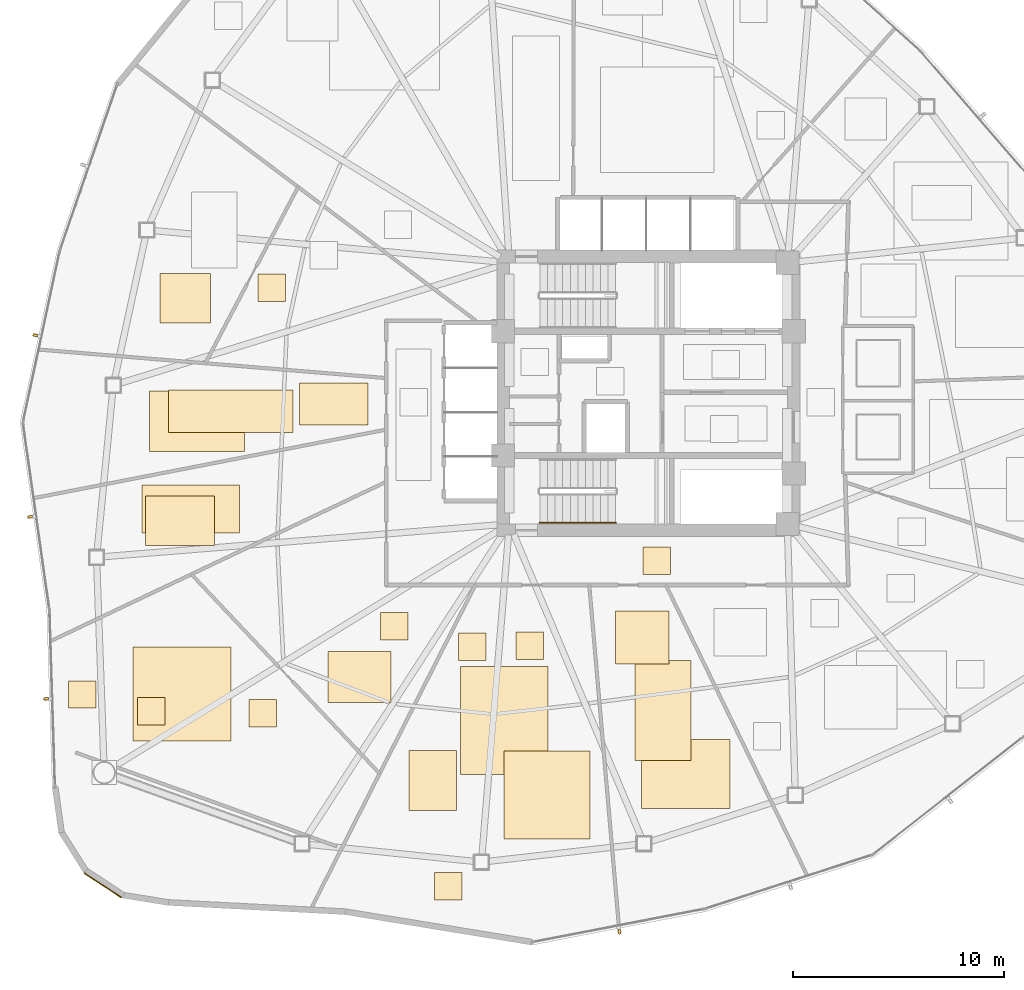
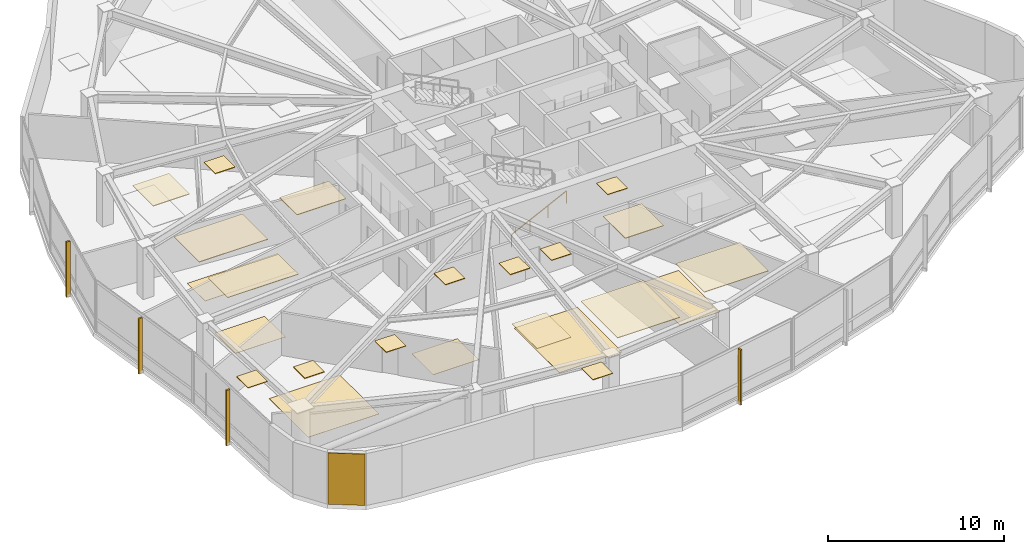
# One storey, part 14 of 17: 24 coverings, 4 shading devices, 1 railing.
"""IFC4 building model written with IfcOpenShell, lengths in metres."""

from ifc_helpers import new_model, si_unit, direction, frame, origin, origin_2d, place, context, subcontext, project, spatial, polyline, rectangle, outline, extrude, source, transform, mapped, material, layer, layer_set, type_object, type_shapes, element, save


model = new_model("IFC4")

# Units and contexts
model_context = context("Model", 3, precision=1e-05, world=origin(), true_north=direction((0.0, 1.0)))
body_context = subcontext(model_context, "Body", "Model", "MODEL_VIEW")
ifc_project = project(units=[si_unit("LENGTHUNIT", "METRE"), si_unit("AREAUNIT", "SQUARE_METRE"), si_unit("VOLUMEUNIT", "CUBIC_METRE"), si_unit("PLANEANGLEUNIT", "RADIAN"), si_unit("MASSUNIT", "GRAM", prefix="KILO")], contexts=[model_context])

# Site, building, storey
site_placement = place(None, origin())
site = spatial("IfcSite", under=ifc_project, at=site_placement, CompositionType="ELEMENT")
building_placement = place(site_placement, origin())
building = spatial("IfcBuilding", under=site, at=building_placement, Name="Tavelor Broadcast Tower", CompositionType="ELEMENT")
storey_placement = place(building_placement, frame((0.0, 0.0, 86.10009765625)))
storey = spatial("IfcBuildingStorey", under=building, at=storey_placement, Name="L20", CompositionType="ELEMENT", Elevation=86.10009765625)

# Covering
ifc_material_1 = material(Name="Copper-Bronze Anodized Aluminium", Category="aluminium")
ifc_layer_1 = layer(ifc_material_1, 0.050048828125)
ifc_layer_set_1 = layer_set([ifc_layer_1], Name="Copper-Bronze Anodized Aluminium")
covering_type_1 = type_object("IfcCoveringType", Name="Champagne-Bronze Corner Pier Metal Cladding 50 mm", PredefinedType="CLADDING", material=ifc_layer_set_1)
covering_1_placement = place(storey_placement, frame((24.0888671875, 21.641845703125, 0.019775390625), z_axis=(0.0, 0.0, 1.0), x_axis=(0.834367160369, -0.551209072583, 0.0)))
element("IfcCovering", 1, at=covering_1_placement, inside=storey, type_object=covering_type_1, Name="L20 Champagne-Bronze Corner Cladding 13", PredefinedType="CLADDING", context=body_context, shape_type="SweptSolid", body=[
    extrude(rectangle(XDim=2.1064453125, YDim=0.050048828125, at=origin_2d()), origin(), (0.0, 0.0, 1.0), 3.56005859375),
])

# Railing
ifc_material_2 = material(Name="Steel S355", Category="steel")
railing_type = type_object("IfcRailingType", Name="Continuous Brushed Stainless Handrail 900 mm", PredefinedType="HANDRAIL", material=ifc_material_2)
railing_placement = place(storey_placement, frame((44.85009765625, 38.85009765625, 0.17724609375)))
element("IfcRailing", 2, at=railing_placement, inside=storey, type_object=railing_type, Name="L20 ST2 stair handrail 1", PredefinedType="HANDRAIL", context=body_context, shape_type="SweptSolid", body=[
    extrude(rectangle(XDim=0.048095703125, YDim=0.048095703125, at=origin_2d()), frame((0.0, 0.0, 0.8759765625), z_axis=(0.897124305991, 0.0, 0.441778201817), x_axis=(0.0, 1.0, 0.0)), (0.0, 0.0, 1.0), 4.0126953125),
    extrude(rectangle(XDim=0.0419921875, YDim=0.0419921875, at=origin_2d()), origin(), (0.0, 0.0, 1.0), 0.851806640625),
    extrude(rectangle(XDim=0.0419921875, YDim=0.0419921875, at=origin_2d()), frame((1.199951171875, 0.0, 0.5908203125)), (0.0, 0.0, 1.0), 0.851806640625),
    extrude(rectangle(XDim=0.0419921875, YDim=0.0419921875, at=origin_2d()), frame((2.39990234375, 0.0, 1.181884765625)), (0.0, 0.0, 1.0), 0.851806640625),
    extrude(rectangle(XDim=0.0419921875, YDim=0.0419921875, at=origin_2d()), frame((3.599853515625, 0.0, 1.772705078125)), (0.0, 0.0, 1.0), 0.851806640625),
])

# Coverings
ifc_material_3 = material(Name="Architectural Anodized Aluminium", Category="aluminium")
ifc_layer_2 = layer(ifc_material_3, 0.034912109375)
ifc_layer_set_2 = layer_set([ifc_layer_2], Name="Architectural Anodized Aluminium")
covering_type_2 = type_object("IfcCoveringType", Name="Demountable Metal Tile Corridor Ceiling 35 mm", PredefinedType="CEILING", material=ifc_layer_set_2)
covering_2_placement = place(storey_placement, frame((0.0, 0.0, 3.56494140625)))
element("IfcCovering", 3, at=covering_2_placement, inside=storey, type_object=covering_type_2, Name="L20 Suspended Acoustic Ceiling 0832", PredefinedType="CEILING", context=body_context, shape_type="SweptSolid", body=[
    extrude(outline(polyline([(49.75244140625, 36.39990234375), (51.052490234375, 36.39990234375), (51.052490234375, 37.699951171875), (49.75244140625, 37.699951171875), (49.75244140625, 36.39990234375)])), origin(), (0.0, 0.0, 1.0), 0.034912109375),
])
ifc_material_4 = material(Name="Acoustic Nylon Carpet Tile")
ifc_layer_3 = layer(ifc_material_4, 0.02001953125)
ifc_layer_set_3 = layer_set([ifc_layer_3], Name="Acoustic Nylon Carpet Tile")
covering_type_3 = type_object("IfcCoveringType", Name="Heavy-Duty Acoustic Broadcast Carpet Tile 20 mm", PredefinedType="FLOORING", material=ifc_layer_set_3)
covering_3_placement = place(storey_placement, origin())
element("IfcCovering", 4, at=covering_3_placement, inside=storey, type_object=covering_type_3, Name="L20 Broadcast Floor Finish 0294", PredefinedType="FLOORING", context=body_context, shape_type="SweptSolid", body=[
    extrude(outline(polyline([(49.372802734375, 27.57666015625), (52.030517578125, 27.57666015625), (52.030517578125, 32.306884765625), (49.372802734375, 32.306884765625), (49.372802734375, 27.57666015625)])), origin(), (0.0, 0.0, 1.0), 0.02001953125),
])
covering_4_placement = place(storey_placement, origin())
element("IfcCovering", 5, at=covering_4_placement, inside=storey, type_object=covering_type_3, Name="L20 Broadcast Floor Finish 0295", PredefinedType="FLOORING", context=body_context, shape_type="SweptSolid", body=[
    extrude(outline(polyline([(41.089599609375, 26.91064453125), (45.22265625, 26.91064453125), (45.22265625, 32.034912109375), (41.089599609375, 32.034912109375), (41.089599609375, 26.91064453125)])), origin(), (0.0, 0.0, 1.0), 0.02001953125),
])
covering_5_placement = place(storey_placement, origin())
element("IfcCovering", 6, at=covering_5_placement, inside=storey, type_object=covering_type_3, Name="L20 Broadcast Floor Finish 0296", PredefinedType="FLOORING", context=body_context, shape_type="SweptSolid", body=[
    extrude(outline(polyline([(25.536376953125, 28.502197265625), (30.18017578125, 28.502197265625), (30.18017578125, 32.951904296875), (25.536376953125, 32.951904296875), (25.536376953125, 28.502197265625)])), origin(), (0.0, 0.0, 1.0), 0.02001953125),
])
covering_6_placement = place(storey_placement, origin())
element("IfcCovering", 7, at=covering_6_placement, inside=storey, type_object=covering_type_3, Name="L20 Broadcast Floor Finish 0297", PredefinedType="FLOORING", context=body_context, shape_type="SweptSolid", body=[
    extrude(outline(polyline([(26.111328125, 37.77197265625), (29.38916015625, 37.77197265625), (29.38916015625, 40.135498046875), (26.111328125, 40.135498046875), (26.111328125, 37.77197265625)])), origin(), (0.0, 0.0, 1.0), 0.02001953125),
])
covering_7_placement = place(storey_placement, origin())
element("IfcCovering", 8, at=covering_7_placement, inside=storey, type_object=covering_type_3, Name="L20 Broadcast Floor Finish 0298", PredefinedType="FLOORING", context=body_context, shape_type="SweptSolid", body=[
    extrude(outline(polyline([(27.20751953125, 43.130859375), (33.132080078125, 43.130859375), (33.132080078125, 45.156982421875), (27.20751953125, 45.156982421875), (27.20751953125, 43.130859375)])), origin(), (0.0, 0.0, 1.0), 0.02001953125),
])
covering_8_placement = place(storey_placement, origin())
element("IfcCovering", 9, at=covering_8_placement, inside=storey, type_object=covering_type_3, Name="L20 Broadcast Floor Finish 0305", PredefinedType="FLOORING", context=body_context, shape_type="SweptSolid", body=[
    extrude(outline(polyline([(34.78076171875, 30.319580078125), (37.771240234375, 30.319580078125), (37.771240234375, 32.744384765625), (34.78076171875, 32.744384765625), (34.78076171875, 30.319580078125)])), origin(), (0.0, 0.0, 1.0), 0.02001953125),
])
ifc_material_5 = material(Name="Acoustic Mineral Fibre Tile")
ifc_layer_4 = layer(ifc_material_5, 0.0400390625)
ifc_layer_set_4 = layer_set([ifc_layer_4], Name="Acoustic Mineral Fibre Tile")
covering_type_4 = type_object("IfcCoveringType", Name="Suspended Acoustic Mineral-Fibre Office Ceiling 40 mm", PredefinedType="CEILING", material=ifc_layer_set_4)
covering_9_placement = place(storey_placement, frame((0.0, 0.0, 3.559814453125)))
element("IfcCovering", 10, at=covering_9_placement, inside=storey, type_object=covering_type_4, Name="L20 Suspended Acoustic Ceiling 0843", PredefinedType="CEILING", context=body_context, shape_type="SweptSolid", body=[
    extrude(outline(polyline([(48.44482421875, 32.15869140625), (50.975830078125, 32.15869140625), (50.975830078125, 34.66748046875), (48.44482421875, 34.66748046875), (48.44482421875, 32.15869140625)])), origin(), (0.0, 0.0, 1.0), 0.0400390625),
])
covering_10_placement = place(storey_placement, frame((0.0, 0.0, 3.559814453125)))
element("IfcCovering", 11, at=covering_10_placement, inside=storey, type_object=covering_type_4, Name="L20 Suspended Acoustic Ceiling 0844", PredefinedType="CEILING", context=body_context, shape_type="SweptSolid", body=[
    extrude(outline(polyline([(49.673583984375, 25.293701171875), (53.88427734375, 25.293701171875), (53.88427734375, 28.553466796875), (49.673583984375, 28.553466796875), (49.673583984375, 25.293701171875)])), origin(), (0.0, 0.0, 1.0), 0.0400390625),
])
covering_11_placement = place(storey_placement, frame((0.0, 0.0, 3.559814453125)))
element("IfcCovering", 12, at=covering_11_placement, inside=storey, type_object=covering_type_4, Name="L20 Suspended Acoustic Ceiling 0845", PredefinedType="CEILING", context=body_context, shape_type="SweptSolid", body=[
    extrude(outline(polyline([(39.85400390625, 20.93701171875), (41.154052734375, 20.93701171875), (41.154052734375, 22.237060546875), (39.85400390625, 22.237060546875), (39.85400390625, 20.93701171875)])), origin(), (0.0, 0.0, 1.0), 0.0400390625),
])
covering_12_placement = place(storey_placement, frame((0.0, 0.0, 3.559814453125)))
element("IfcCovering", 13, at=covering_12_placement, inside=storey, type_object=covering_type_4, Name="L20 Suspended Acoustic Ceiling 0846", PredefinedType="CEILING", context=body_context, shape_type="SweptSolid", body=[
    extrude(outline(polyline([(38.637451171875, 25.200927734375), (40.88232421875, 25.200927734375), (40.88232421875, 28.0341796875), (38.637451171875, 28.0341796875), (38.637451171875, 25.200927734375)])), origin(), (0.0, 0.0, 1.0), 0.0400390625),
])
covering_13_placement = place(storey_placement, frame((0.0, 0.0, 3.559814453125)))
element("IfcCovering", 14, at=covering_13_placement, inside=storey, type_object=covering_type_4, Name="L20 Suspended Acoustic Ceiling 0847", PredefinedType="CEILING", context=body_context, shape_type="SweptSolid", body=[
    extrude(outline(polyline([(40.981201171875, 32.310302734375), (42.28125, 32.310302734375), (42.28125, 33.6103515625), (40.981201171875, 33.6103515625), (40.981201171875, 32.310302734375)])), origin(), (0.0, 0.0, 1.0), 0.0400390625),
])
covering_14_placement = place(storey_placement, frame((0.0, 0.0, 3.559814453125)))
element("IfcCovering", 15, at=covering_14_placement, inside=storey, type_object=covering_type_4, Name="L20 Suspended Acoustic Ceiling 0848", PredefinedType="CEILING", context=body_context, shape_type="SweptSolid", body=[
    extrude(outline(polyline([(43.7197265625, 32.3623046875), (45.019775390625, 32.3623046875), (45.019775390625, 33.662353515625), (43.7197265625, 33.662353515625), (43.7197265625, 32.3623046875)])), origin(), (0.0, 0.0, 1.0), 0.0400390625),
])
covering_15_placement = place(storey_placement, frame((0.0, 0.0, 3.559814453125)))
element("IfcCovering", 16, at=covering_15_placement, inside=storey, type_object=covering_type_4, Name="L20 Suspended Acoustic Ceiling 0849", PredefinedType="CEILING", context=body_context, shape_type="SweptSolid", body=[
    extrude(outline(polyline([(43.1416015625, 23.830078125), (47.225830078125, 23.830078125), (47.225830078125, 28.02392578125), (43.1416015625, 28.02392578125), (43.1416015625, 23.830078125)])), origin(), (0.0, 0.0, 1.0), 0.0400390625),
])
covering_16_placement = place(storey_placement, frame((0.0, 0.0, 3.559814453125)))
element("IfcCovering", 17, at=covering_16_placement, inside=storey, type_object=covering_type_4, Name="L20 Suspended Acoustic Ceiling 0850", PredefinedType="CEILING", context=body_context, shape_type="SweptSolid", body=[
    extrude(outline(polyline([(31.032470703125, 29.164794921875), (32.33251953125, 29.164794921875), (32.33251953125, 30.464599609375), (31.032470703125, 30.464599609375), (31.032470703125, 29.164794921875)])), origin(), (0.0, 0.0, 1.0), 0.0400390625),
])
covering_17_placement = place(storey_placement, frame((0.0, 0.0, 3.559814453125)))
element("IfcCovering", 18, at=covering_17_placement, inside=storey, type_object=covering_type_4, Name="L20 Suspended Acoustic Ceiling 0851", PredefinedType="CEILING", context=body_context, shape_type="SweptSolid", body=[
    extrude(outline(polyline([(25.735595703125, 29.254150390625), (27.03564453125, 29.254150390625), (27.03564453125, 30.55419921875), (25.735595703125, 30.55419921875), (25.735595703125, 29.254150390625)])), origin(), (0.0, 0.0, 1.0), 0.0400390625),
])
covering_18_placement = place(storey_placement, frame((0.0, 0.0, 3.559814453125)))
element("IfcCovering", 19, at=covering_18_placement, inside=storey, type_object=covering_type_4, Name="L20 Suspended Acoustic Ceiling 0852", PredefinedType="CEILING", context=body_context, shape_type="SweptSolid", body=[
    extrude(outline(polyline([(22.462158203125, 30.05029296875), (23.76220703125, 30.05029296875), (23.76220703125, 31.350341796875), (22.462158203125, 31.350341796875), (22.462158203125, 30.05029296875)])), origin(), (0.0, 0.0, 1.0), 0.0400390625),
])
covering_19_placement = place(storey_placement, frame((0.0, 0.0, 3.559814453125)))
element("IfcCovering", 20, at=covering_19_placement, inside=storey, type_object=covering_type_4, Name="L20 Suspended Acoustic Ceiling 0853", PredefinedType="CEILING", context=body_context, shape_type="SweptSolid", body=[
    extrude(outline(polyline([(25.942138671875, 38.368408203125), (30.590087890625, 38.368408203125), (30.590087890625, 40.650390625), (25.942138671875, 40.650390625), (25.942138671875, 38.368408203125)])), origin(), (0.0, 0.0, 1.0), 0.0400390625),
])
covering_20_placement = place(storey_placement, frame((0.0, 0.0, 3.559814453125)))
element("IfcCovering", 21, at=covering_20_placement, inside=storey, type_object=covering_type_4, Name="L20 Suspended Acoustic Ceiling 0854", PredefinedType="CEILING", context=body_context, shape_type="SweptSolid", body=[
    extrude(outline(polyline([(33.444091796875, 43.49658203125), (36.6748046875, 43.49658203125), (36.6748046875, 45.485107421875), (33.444091796875, 45.485107421875), (33.444091796875, 43.49658203125)])), origin(), (0.0, 0.0, 1.0), 0.0400390625),
])
covering_21_placement = place(storey_placement, frame((0.0, 0.0, 3.559814453125)))
element("IfcCovering", 22, at=covering_21_placement, inside=storey, type_object=covering_type_4, Name="L20 Suspended Acoustic Ceiling 0855", PredefinedType="CEILING", context=body_context, shape_type="SweptSolid", body=[
    extrude(outline(polyline([(26.3076171875, 42.232177734375), (30.81689453125, 42.232177734375), (30.81689453125, 45.1240234375), (26.3076171875, 45.1240234375), (26.3076171875, 42.232177734375)])), origin(), (0.0, 0.0, 1.0), 0.0400390625),
])
covering_22_placement = place(storey_placement, frame((0.0, 0.0, 3.559814453125)))
element("IfcCovering", 23, at=covering_22_placement, inside=storey, type_object=covering_type_4, Name="L20 Suspended Acoustic Ceiling 0856", PredefinedType="CEILING", context=body_context, shape_type="SweptSolid", body=[
    extrude(outline(polyline([(26.8095703125, 48.345703125), (29.21044921875, 48.345703125), (29.21044921875, 50.68798828125), (26.8095703125, 50.68798828125), (26.8095703125, 48.345703125)])), origin(), (0.0, 0.0, 1.0), 0.0400390625),
])
covering_23_placement = place(storey_placement, frame((0.0, 0.0, 3.559814453125)))
element("IfcCovering", 24, at=covering_23_placement, inside=storey, type_object=covering_type_4, Name="L20 Suspended Acoustic Ceiling 0872", PredefinedType="CEILING", context=body_context, shape_type="SweptSolid", body=[
    extrude(outline(polyline([(31.46875, 49.359375), (32.768798828125, 49.359375), (32.768798828125, 50.6591796875), (31.46875, 50.6591796875), (31.46875, 49.359375)])), origin(), (0.0, 0.0, 1.0), 0.0400390625),
])
covering_24_placement = place(storey_placement, frame((0.0, 0.0, 3.559814453125)))
element("IfcCovering", 25, at=covering_24_placement, inside=storey, type_object=covering_type_4, Name="L20 Suspended Acoustic Ceiling 0873", PredefinedType="CEILING", context=body_context, shape_type="SweptSolid", body=[
    extrude(outline(polyline([(37.284912109375, 33.284912109375), (38.5849609375, 33.284912109375), (38.5849609375, 34.5849609375), (37.284912109375, 34.5849609375), (37.284912109375, 33.284912109375)])), origin(), (0.0, 0.0, 1.0), 0.0400390625),
])

# Shading devices
ifc_material_6 = material(Name="Kiln-Fired Glazed Terracotta", Category="masonry")
shading_device_type = type_object("IfcShadingDeviceType", Name="Extruded Terracotta Baguette Sun-Screen 110x240", PredefinedType="JALOUSIE", material=ifc_material_6)
shared_shape = source(origin(), body_context, "Body", "SweptSolid", [
    extrude(rectangle(XDim=0.110107421875, YDim=0.239990234375, at=origin_2d()), origin(), (0.0, 0.0, 1.0), 3.840087890625),
])
type_shapes(shading_device_type, [shared_shape])
for number, where, z_axis, x_axis, name in (
    (26, (20.885986328125, 47.76220703125, -0.26025390625), (0.0, 0.0, 1.0), (-0.209959860863, -0.977710006508, 0.0), "L20 Terracotta Baguette Fin 194"),
    (27, (20.634521484375, 39.13671875, -0.26025390625), (0.0, 0.0, 1.0), (0.140382837472, -0.990097297715, 0.0), "L20 Terracotta Baguette Fin 195"),
    (28, (21.39599609375, 30.492919921875, -0.26025390625), (0.0, 0.0, 1.0), (0.031061863564, -0.999517463895, 0.0), "L20 Terracotta Baguette Fin 196"),
    (29, (48.627197265625, 19.43359375, -0.26025390625), (0.0, 0.0, 1.0), (0.981892646112, 0.189438199716, 0.0), "L20 Terracotta Baguette Fin 197"),
):
    element("IfcShadingDevice", number, at=place(storey_placement, frame(where, z_axis=z_axis, x_axis=x_axis)), inside=storey, type_object=shading_device_type, Name=name, PredefinedType="JALOUSIE", context=body_context, shape_type="MappedRepresentation", body=[
        mapped(shared_shape, transform((0.0, 0.0, 0.0), scale=1.0)),
    ])

save(model, "model.ifc")
